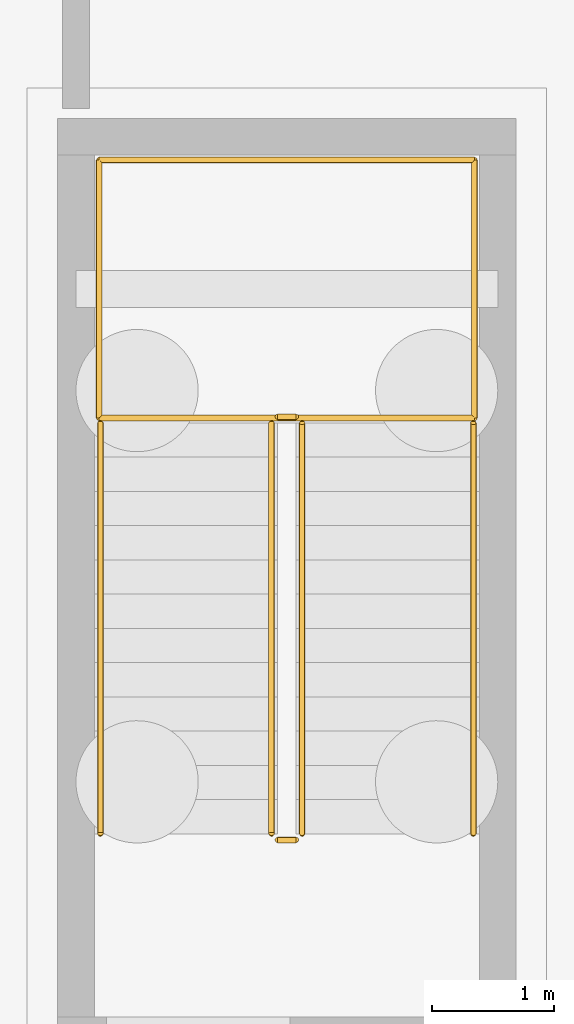
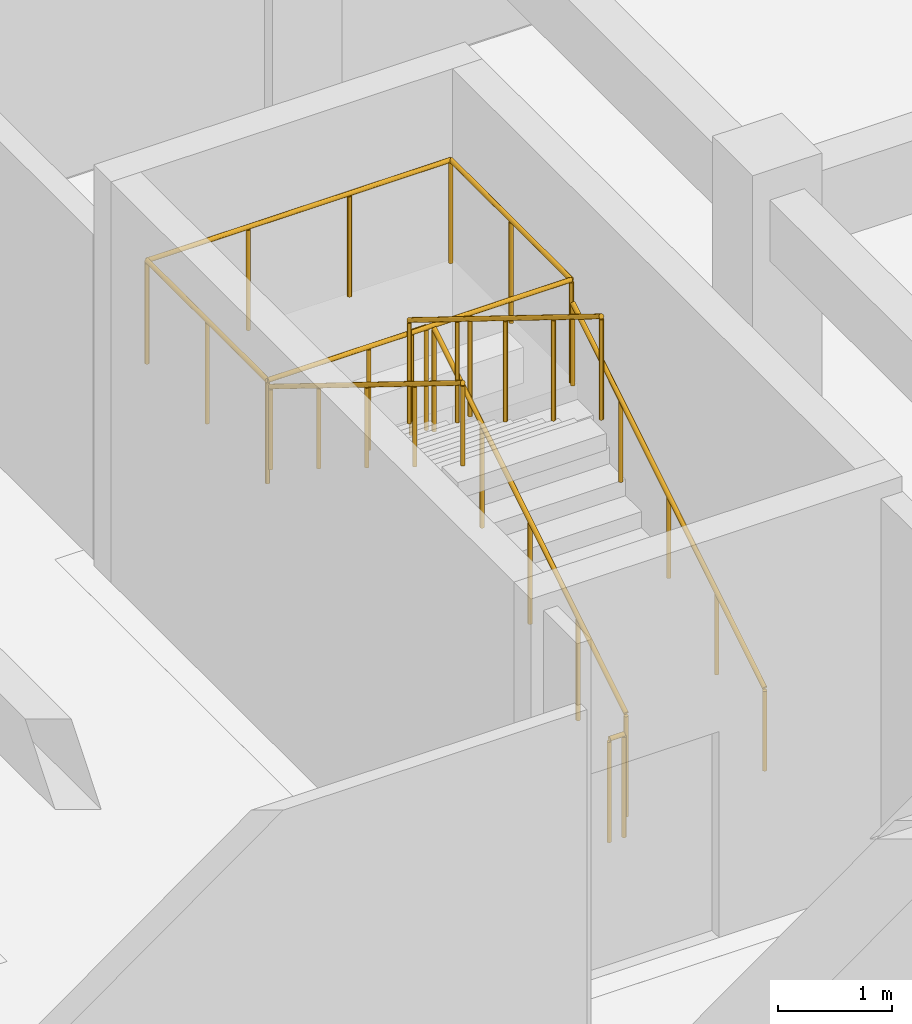
# One storey, part 27 of 28: 8 railings.
"""IFC4 building model written with IfcOpenShell, lengths in metres."""

import ifcopenshell
import ifcopenshell.guid

model = None  # the IFC model being written
_history = None  # IfcOwnerHistory: only IFC2X3 demands one
_inside = {}  # id of a spatial element -> (the spatial element, [elements in it])
_under = {}  # id of a project, library or spatial element -> (it, [spatial elements below it])
_declared = {}  # id of a project -> (the project, [libraries it declares])
_typed = {}  # id of a type object -> (the type object, [elements of that type])
_made_of = {}  # id of a material, layer set ... -> (it, [elements and type objects made of it])


def new_model(schema):
    """Start an empty IFC model of exactly this schema.

    Asked for "IFC4X3", IfcOpenShell would pick the latest addendum, in which some entities
    have other attributes; the version numbers below select the first issue.
    IFC2X3 requires an IfcOwnerHistory on every rooted entity: one is made here for all.
    """
    global model, _history
    if schema == "IFC4X3":
        model = ifcopenshell.file(schema_version=(4, 3, 0, 0))
    else:
        model = ifcopenshell.file(schema=schema)
    _inside.clear()
    _under.clear()
    _declared.clear()
    _typed.clear()
    _made_of.clear()
    _history = None
    if model.schema == "IFC2X3":
        org = make("IfcOrganization", Name="unknown")
        user = make(
            "IfcPersonAndOrganization",
            ThePerson=make("IfcPerson", FamilyName="unknown"),
            TheOrganization=org,
        )
        app = make(
            "IfcApplication",
            ApplicationDeveloper=org,
            Version="unknown",
            ApplicationFullName="unknown",
            ApplicationIdentifier="unknown",
        )
        _history = make(
            "IfcOwnerHistory",
            OwningUser=user,
            OwningApplication=app,
            ChangeAction="ADDED",
            CreationDate=0,
        )
    return model


def make(cls, **values):
    """One entity of the class cls with the attributes given. An attribute that is None is left unset."""
    return model.create_entity(
        cls, **{name: value for name, value in values.items() if value is not None}
    )


def rooted(cls, **values):
    """An entity with a GlobalId (a new one), such as an element, a storey or a relation."""
    return make(cls, GlobalId=ifcopenshell.guid.new(), OwnerHistory=_history, **values)


def si_unit(unit_type, name, prefix=None):
    """IfcSIUnit, for example si_unit("LENGTHUNIT", "METRE", prefix="MILLI")."""
    return make("IfcSIUnit", UnitType=unit_type, Prefix=prefix, Name=name)


def assignment(units):
    """IfcUnitAssignment: the units of a project."""
    return None if units is None else make("IfcUnitAssignment", Units=units)


def point(xyz):
    """IfcCartesianPoint."""
    return None if xyz is None else make("IfcCartesianPoint", Coordinates=xyz)


def direction(xyz):
    """IfcDirection."""
    return None if xyz is None else make("IfcDirection", DirectionRatios=xyz)


def frame(location, z_axis=None, x_axis=None):
    """IfcAxis2Placement3D, a coordinate frame: its origin and axes. An axis left out is left unset."""
    return make(
        "IfcAxis2Placement3D",
        Location=point(location),
        Axis=direction(z_axis),
        RefDirection=direction(x_axis),
    )


def frame_2d(location, x_axis=None):
    """IfcAxis2Placement2D, a coordinate frame in the plane: its origin and x axis."""
    return make(
        "IfcAxis2Placement2D", Location=point(location), RefDirection=direction(x_axis)
    )


def origin():
    """The frame at (0, 0, 0) with its axes left unset."""
    return frame((0.0, 0.0, 0.0))


def origin_2d():
    """The frame at (0, 0) in the plane with its x axis left unset."""
    return frame_2d((0.0, 0.0))


def place(relative_to, where):
    """IfcLocalPlacement: puts the frame where relative to a parent placement (None: the world)."""
    return make(
        "IfcLocalPlacement", PlacementRelTo=relative_to, RelativePlacement=where
    )


def context(
    kind, dimensions, precision=None, world=None, true_north=None, identifier=None
):
    """IfcGeometricRepresentationContext, for example the 3D "Model" context."""
    return make(
        "IfcGeometricRepresentationContext",
        ContextIdentifier=identifier,
        ContextType=kind,
        CoordinateSpaceDimension=dimensions,
        Precision=precision,
        WorldCoordinateSystem=world,
        TrueNorth=true_north,
    )


def subcontext(parent, identifier, kind, view, scale=None):
    """IfcGeometricRepresentationSubContext, for example "Body" below "Model"."""
    return make(
        "IfcGeometricRepresentationSubContext",
        ContextIdentifier=identifier,
        ContextType=kind,
        ParentContext=parent,
        TargetScale=scale,
        TargetView=view,
    )


def project(units=None, contexts=None):
    """IfcProject with its units and contexts."""
    return rooted(
        "IfcProject",
        Name="project",
        RepresentationContexts=contexts,
        UnitsInContext=assignment(units),
    )


def spatial(cls, under=None, at=None, **own):
    """A site, building, storey or space (cls), placed at a placement, below another one or the project."""
    s = rooted(cls, ObjectPlacement=at, **own)
    if under is not None:
        _under.setdefault(under.id(), (under, []))[1].append(s)
    return s


def profile(cls, at=None, kind="AREA", **sizes):
    """A parametric profile (cls). Its sizes go by their IFC names, for example OverallWidth=200.0."""
    return make(cls, ProfileType=kind, Position=at, **sizes)


def circle(**sizes):
    """IfcCircleProfileDef."""
    return profile("IfcCircleProfileDef", **sizes)


def extrude(swept, where, along, depth):
    """IfcExtrudedAreaSolid: the profile swept, set in the frame where, extruded along a direction by depth."""
    return make(
        "IfcExtrudedAreaSolid",
        SweptArea=swept,
        Position=where,
        ExtrudedDirection=direction(along),
        Depth=depth,
    )


def shape(context_of_items, identifier, shape_type, items):
    """IfcShapeRepresentation: the items that make up one representation, for example the "Body"."""
    return make(
        "IfcShapeRepresentation",
        ContextOfItems=context_of_items,
        RepresentationIdentifier=identifier,
        RepresentationType=shape_type,
        Items=items,
    )


def material(Name=None, Category=None):
    """IfcMaterial."""
    return make("IfcMaterial", Name=Name, Category=Category)


def made_of(thing, what):
    """Note that an element or type object is made of a material, layer set ...; save() writes the relation."""
    if what is not None:
        _made_of.setdefault(what.id(), (what, []))[1].append(thing)
    return thing


def type_object(cls, material=None, **own):
    """A type object (cls), such as IfcWallType, which elements share."""
    return made_of(rooted(cls, **own), material)


def element(
    cls,
    number,
    at=None,
    inside=None,
    cuts=None,
    type_object=None,
    material=None,
    context=None,
    identifier="Body",
    shape_type=None,
    held_by="IfcProductDefinitionShape",
    body=None,
    shapes=None,
    **own,
):
    """One element of the class cls, such as IfcWall. Its Tag is "e" and its number.

    at: its placement. inside: the storey or other place that contains it. cuts: it is an
    opening in that element (IfcRelVoidsElement). A single representation is given by context,
    identifier, shape_type and body (its items); several are given by shapes. held_by: the class
    of the entity that holds the representations. save() writes the other relations.
    """
    e = rooted(cls, Tag="e%d" % number, ObjectPlacement=at, **own)
    if body is not None:
        shapes = [shape(context, identifier, shape_type, body)]
    if shapes is not None:
        e.Representation = make(held_by, Representations=shapes)
    if inside is not None:
        _inside.setdefault(inside.id(), (inside, []))[1].append(e)
    if cuts is not None:
        rooted(
            "IfcRelVoidsElement", RelatingBuildingElement=cuts, RelatedOpeningElement=e
        )
    if type_object is not None:
        _typed.setdefault(type_object.id(), (type_object, []))[1].append(e)
    return made_of(e, material)


def aggregate(whole, parts):
    """IfcRelAggregates: a whole, such as a stair, and the parts it consists of."""
    return rooted("IfcRelAggregates", RelatingObject=whole, RelatedObjects=parts)


def save(model, path):
    """Write the relations noted so far, then the file.

    IfcRelAggregates (storeys below a building ...), IfcRelContainedInSpatialStructure (elements
    in a storey), IfcRelDefinesByType, IfcRelAssociatesMaterial and IfcRelDeclares: one each for
    every whole, place, type object, material and project.
    """
    for whole, parts in _under.values():
        aggregate(whole, parts)
    for where, things in _inside.values():
        rooted(
            "IfcRelContainedInSpatialStructure",
            RelatedElements=things,
            RelatingStructure=where,
        )
    for kind, things in _typed.values():
        rooted("IfcRelDefinesByType", RelatedObjects=things, RelatingType=kind)
    for what, things in _made_of.values():
        rooted("IfcRelAssociatesMaterial", RelatedObjects=things, RelatingMaterial=what)
    for by, libraries in _declared.values():
        rooted("IfcRelDeclares", RelatingContext=by, RelatedDefinitions=libraries)
    model.write(path)


model = new_model("IFC4")

# Units and contexts
model_context = context("Model", 3, precision=1e-05, world=origin(), true_north=direction((0.0, 1.0)))
body_context = subcontext(model_context, "Body", "Model", "MODEL_VIEW")
ifc_project = project(units=[si_unit("LENGTHUNIT", "METRE"), si_unit("AREAUNIT", "SQUARE_METRE"), si_unit("VOLUMEUNIT", "CUBIC_METRE"), si_unit("PLANEANGLEUNIT", "RADIAN"), si_unit("MASSUNIT", "GRAM", prefix="KILO")], contexts=[model_context])

# Site, building, storey
site_placement = place(None, origin())
site = spatial("IfcSite", under=ifc_project, at=site_placement, CompositionType="ELEMENT")
building_placement = place(site_placement, origin())
building = spatial("IfcBuilding", under=site, at=building_placement, Name="Miralva Faculty of Natural Sciences", CompositionType="ELEMENT")
storey_placement = place(building_placement, frame((0.0, 0.0, -4.5)))
storey = spatial("IfcBuildingStorey", under=building, at=storey_placement, Name="B1", CompositionType="ELEMENT", Elevation=-4.5)

# Railings
ifc_material = material(Name="Steel S355", Category="steel")
railing_type_1 = type_object("IfcRailingType", Name="RL-GR01", PredefinedType="GUARDRAIL", material=ifc_material)
railing_1_placement = place(storey_placement, frame((71.89990234375, 105.699951171875, 0.173095703125)))
element("IfcRailing", 1, at=railing_1_placement, inside=storey, type_object=railing_type_1, Name="Stair Core C5 safety guard B1-1", PredefinedType="GUARDRAIL", context=body_context, shape_type="SweptSolid", body=[
    extrude(circle(Radius=0.02392578125, at=origin_2d()), frame((0.0, 0.0, 1.09619140625), z_axis=(0.0, 0.850623216509, 0.525775754039), x_axis=(-1.0, 0.0, 0.0)), (0.0, 0.0, 1.0), 3.9501953125),
    extrude(circle(Radius=0.02099609375, at=origin_2d()), origin(), (0.0, 0.0, 1.0), 1.072021484375),
    extrude(circle(Radius=0.02099609375, at=origin_2d()), frame((0.0, 0.840087890625, 0.519287109375)), (0.0, 0.0, 1.0), 1.072021484375),
    extrude(circle(Radius=0.02099609375, at=origin_2d()), frame((0.0, 1.68017578125, 1.03857421875)), (0.0, 0.0, 1.0), 1.072021484375),
    extrude(circle(Radius=0.02099609375, at=origin_2d()), frame((0.0, 2.52001953125, 1.5576171875)), (0.0, 0.0, 1.0), 1.072021484375),
    extrude(circle(Radius=0.02099609375, at=origin_2d()), frame((0.0, 3.360107421875, 2.076904296875)), (0.0, 0.0, 1.0), 1.072021484375),
])
railing_2_placement = place(storey_placement, frame((71.85009765625, 109.110107421875, 2.25)))
element("IfcRailing", 2, at=railing_2_placement, inside=storey, type_object=railing_type_1, Name="Stair Core C5 safety guard B1-2", PredefinedType="GUARDRAIL", context=body_context, shape_type="SweptSolid", body=[
    extrude(circle(Radius=0.02392578125, at=origin_2d()), frame((0.0, 0.0, 1.09619140625), z_axis=(-1.0, 0.0, 0.0), x_axis=(0.0, -1.0, 0.0)), (0.0, 0.0, 1.0), 0.150146484375),
    extrude(circle(Radius=0.02099609375, at=origin_2d()), origin(), (0.0, 0.0, 1.0), 1.072021484375),
    extrude(circle(Radius=0.02099609375, at=origin_2d()), frame((-0.150146484375, 0.0, 0.0)), (0.0, 0.0, 1.0), 1.072021484375),
])
railing_3_placement = place(storey_placement, frame((71.64990234375, 109.06005859375, 2.423095703125)))
element("IfcRailing", 3, at=railing_3_placement, inside=storey, type_object=railing_type_1, Name="Stair Core C5 safety guard B1-3", PredefinedType="GUARDRAIL", context=body_context, shape_type="SweptSolid", body=[
    extrude(circle(Radius=0.02392578125, at=origin_2d()), frame((0.0, 0.0, 1.09619140625), z_axis=(0.0, -0.850623216509, 0.525775754039), x_axis=(1.0, 0.0, 0.0)), (0.0, 0.0, 1.0), 3.9501953125),
    extrude(circle(Radius=0.02099609375, at=origin_2d()), origin(), (0.0, 0.0, 1.0), 1.072021484375),
    extrude(circle(Radius=0.02099609375, at=origin_2d()), frame((0.0, -0.840087890625, 0.519287109375)), (0.0, 0.0, 1.0), 1.072021484375),
    extrude(circle(Radius=0.02099609375, at=origin_2d()), frame((0.0, -1.68017578125, 1.03857421875)), (0.0, 0.0, 1.0), 1.072021484375),
    extrude(circle(Radius=0.02099609375, at=origin_2d()), frame((0.0, -2.52001953125, 1.5576171875)), (0.0, 0.0, 1.0), 1.072021484375),
    extrude(circle(Radius=0.02099609375, at=origin_2d()), frame((0.0, -3.360107421875, 2.076904296875)), (0.0, 0.0, 1.0), 1.072021484375),
])
railing_4_placement = place(storey_placement, frame((71.85009765625, 105.64990234375, 0.0)))
element("IfcRailing", 4, at=railing_4_placement, inside=storey, type_object=railing_type_1, Name="Stair Core C5 safety guard B1-4", PredefinedType="GUARDRAIL", context=body_context, shape_type="SweptSolid", body=[
    extrude(circle(Radius=0.02392578125, at=origin_2d()), frame((0.0, 0.0, 1.09619140625), z_axis=(-1.0, 0.0, 0.0), x_axis=(0.0, -1.0, 0.0)), (0.0, 0.0, 1.0), 0.150146484375),
    extrude(circle(Radius=0.02099609375, at=origin_2d()), origin(), (0.0, 0.0, 1.0), 1.072021484375),
    extrude(circle(Radius=0.02099609375, at=origin_2d()), frame((-0.150146484375, 0.0, 0.0)), (0.0, 0.0, 1.0), 1.072021484375),
])
railing_5_placement = place(storey_placement, frame((70.239990234375, 109.10009765625, 2.25)))
element("IfcRailing", 5, at=railing_5_placement, inside=storey, type_object=railing_type_1, Name="Stair Core C5 half-landing guard B1-1A", PredefinedType="GUARDRAIL", context=body_context, shape_type="SweptSolid", body=[
    extrude(circle(Radius=0.02392578125, at=origin_2d()), frame((0.0, 0.0, 1.09619140625), z_axis=(0.0, 1.0, 0.0), x_axis=(-1.0, 0.0, 0.0)), (0.0, 0.0, 1.0), 2.10986328125),
    extrude(circle(Radius=0.02392578125, at=origin_2d()), frame((0.0, 2.10986328125, 1.09619140625), z_axis=(1.0, 0.0, 0.0), x_axis=(0.0, 1.0, 0.0)), (0.0, 0.0, 1.0), 3.070068359375),
    extrude(circle(Radius=0.02099609375, at=origin_2d()), origin(), (0.0, 0.0, 1.0), 1.072021484375),
    extrude(circle(Radius=0.02099609375, at=origin_2d()), frame((0.0, 1.054931640625, 0.0)), (0.0, 0.0, 1.0), 1.072021484375),
    extrude(circle(Radius=0.02099609375, at=origin_2d()), frame((0.0, 2.10986328125, 0.0)), (0.0, 0.0, 1.0), 1.072021484375),
    extrude(circle(Radius=0.02099609375, at=origin_2d()), frame((1.0234375, 2.10986328125, 0.0)), (0.0, 0.0, 1.0), 1.072021484375),
    extrude(circle(Radius=0.02099609375, at=origin_2d()), frame((2.046630859375, 2.10986328125, 0.0)), (0.0, 0.0, 1.0), 1.072021484375),
    extrude(circle(Radius=0.02099609375, at=origin_2d()), frame((3.070068359375, 2.10986328125, 0.0)), (0.0, 0.0, 1.0), 1.072021484375),
])
railing_6_placement = place(storey_placement, frame((73.31005859375, 111.2099609375, 2.25)))
element("IfcRailing", 6, at=railing_6_placement, inside=storey, type_object=railing_type_1, Name="Stair Core C5 half-landing guard B1-1B", PredefinedType="GUARDRAIL", context=body_context, shape_type="SweptSolid", body=[
    extrude(circle(Radius=0.02392578125, at=origin_2d()), frame((0.0, 0.0, 1.09619140625), z_axis=(0.0, -1.0, 0.0), x_axis=(1.0, 0.0, 0.0)), (0.0, 0.0, 1.0), 2.10986328125),
    extrude(circle(Radius=0.02392578125, at=origin_2d()), frame((0.0, -2.10986328125, 1.09619140625), z_axis=(-1.0, 0.0, 0.0), x_axis=(0.0, -1.0, 0.0)), (0.0, 0.0, 1.0), 3.070068359375),
    extrude(circle(Radius=0.02099609375, at=origin_2d()), origin(), (0.0, 0.0, 1.0), 1.072021484375),
    extrude(circle(Radius=0.02099609375, at=origin_2d()), frame((0.0, -1.054931640625, 0.0)), (0.0, 0.0, 1.0), 1.072021484375),
    extrude(circle(Radius=0.02099609375, at=origin_2d()), frame((0.0, -2.10986328125, 0.0)), (0.0, 0.0, 1.0), 1.072021484375),
    extrude(circle(Radius=0.02099609375, at=origin_2d()), frame((-1.0234375, -2.10986328125, 0.0)), (0.0, 0.0, 1.0), 1.072021484375),
    extrude(circle(Radius=0.02099609375, at=origin_2d()), frame((-2.046630859375, -2.10986328125, 0.0)), (0.0, 0.0, 1.0), 1.072021484375),
    extrude(circle(Radius=0.02099609375, at=origin_2d()), frame((-3.070068359375, -2.10986328125, 0.0)), (0.0, 0.0, 1.0), 1.072021484375),
])
railing_type_2 = type_object("IfcRailingType", Name="RL-HR01", PredefinedType="HANDRAIL", material=ifc_material)
railing_7_placement = place(storey_placement, frame((73.300048828125, 105.699951171875, 0.173095703125)))
element("IfcRailing", 7, at=railing_7_placement, inside=storey, type_object=railing_type_2, Name="Stair Core C5 handrail B1-1", PredefinedType="HANDRAIL", context=body_context, shape_type="SweptSolid", body=[
    extrude(circle(Radius=0.02392578125, at=origin_2d()), frame((0.0, 0.0, 0.8759765625), z_axis=(0.0, 0.850623216509, 0.525775754039), x_axis=(-1.0, 0.0, 0.0)), (0.0, 0.0, 1.0), 3.9501953125),
    extrude(circle(Radius=0.02099609375, at=origin_2d()), origin(), (0.0, 0.0, 1.0), 0.851806640625),
    extrude(circle(Radius=0.02099609375, at=origin_2d()), frame((0.0, 0.840087890625, 0.519287109375)), (0.0, 0.0, 1.0), 0.851806640625),
    extrude(circle(Radius=0.02099609375, at=origin_2d()), frame((0.0, 1.68017578125, 1.03857421875)), (0.0, 0.0, 1.0), 0.851806640625),
    extrude(circle(Radius=0.02099609375, at=origin_2d()), frame((0.0, 2.52001953125, 1.5576171875)), (0.0, 0.0, 1.0), 0.851806640625),
    extrude(circle(Radius=0.02099609375, at=origin_2d()), frame((0.0, 3.360107421875, 2.076904296875)), (0.0, 0.0, 1.0), 0.851806640625),
])
railing_8_placement = place(storey_placement, frame((70.25, 109.06005859375, 2.423095703125)))
element("IfcRailing", 8, at=railing_8_placement, inside=storey, type_object=railing_type_2, Name="Stair Core C5 handrail B1-2", PredefinedType="HANDRAIL", context=body_context, shape_type="SweptSolid", body=[
    extrude(circle(Radius=0.02392578125, at=origin_2d()), frame((0.0, 0.0, 0.8759765625), z_axis=(0.0, -0.850623216509, 0.525775754039), x_axis=(1.0, 0.0, 0.0)), (0.0, 0.0, 1.0), 3.9501953125),
    extrude(circle(Radius=0.02099609375, at=origin_2d()), origin(), (0.0, 0.0, 1.0), 0.851806640625),
    extrude(circle(Radius=0.02099609375, at=origin_2d()), frame((0.0, -0.840087890625, 0.519287109375)), (0.0, 0.0, 1.0), 0.851806640625),
    extrude(circle(Radius=0.02099609375, at=origin_2d()), frame((0.0, -1.68017578125, 1.03857421875)), (0.0, 0.0, 1.0), 0.851806640625),
    extrude(circle(Radius=0.02099609375, at=origin_2d()), frame((0.0, -2.52001953125, 1.5576171875)), (0.0, 0.0, 1.0), 0.851806640625),
    extrude(circle(Radius=0.02099609375, at=origin_2d()), frame((0.0, -3.360107421875, 2.076904296875)), (0.0, 0.0, 1.0), 0.851806640625),
])

save(model, "model.ifc")
